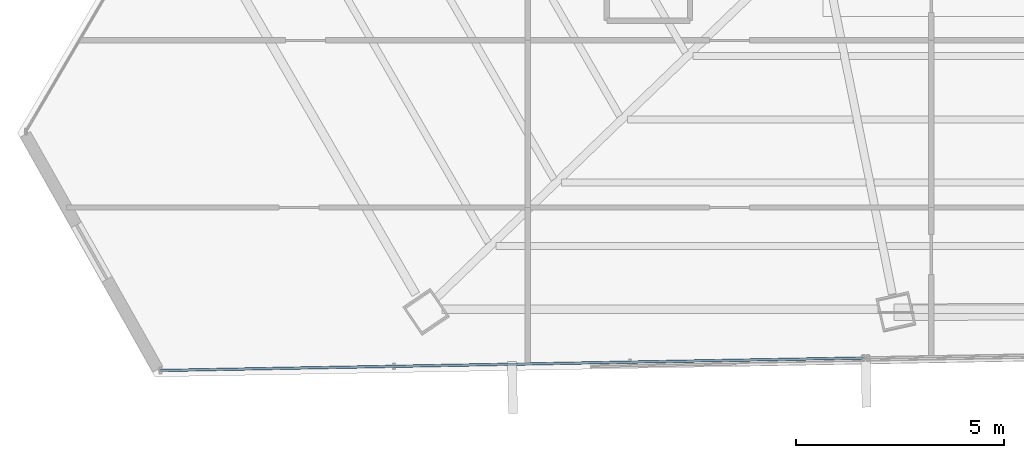
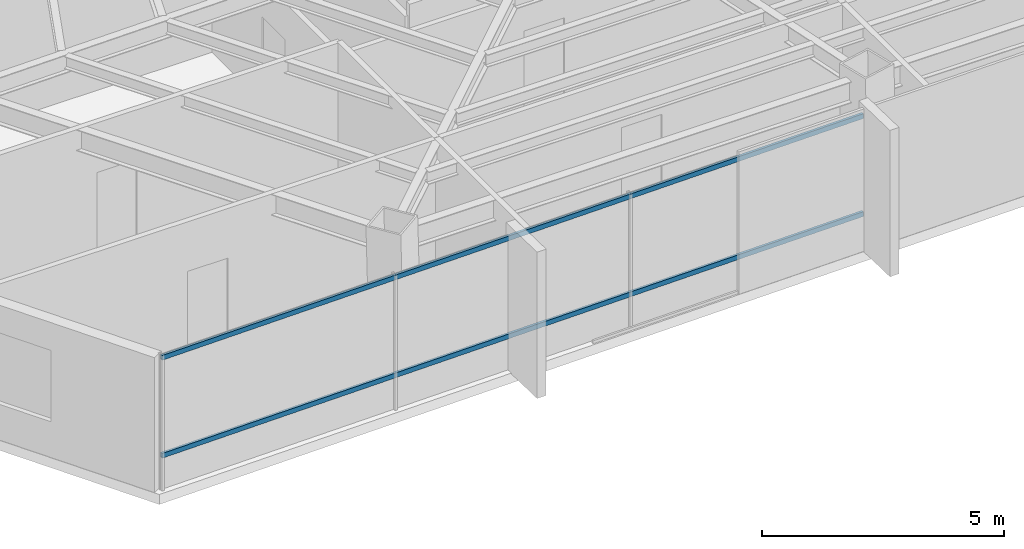
# One storey, part 5 of 44: 2 members, 1 element without a shape of its own.
"""IFC4 building model written with IfcOpenShell, lengths in metres."""

from ifc_helpers import new_model, si_unit, direction, frame, origin, origin_2d, place, context, subcontext, project, spatial, hollow_rectangle, extrude, source, transform, mapped, material, material_profile, profile_set, type_object, type_shapes, element, aggregate, save


model = new_model("IFC4")

# Units and contexts
model_context = context("Model", 3, precision=1e-05, world=origin(), true_north=direction((0.0, 1.0)))
body_context = subcontext(model_context, "Body", "Model", "MODEL_VIEW")
ifc_project = project(units=[si_unit("LENGTHUNIT", "METRE"), si_unit("AREAUNIT", "SQUARE_METRE"), si_unit("VOLUMEUNIT", "CUBIC_METRE"), si_unit("PLANEANGLEUNIT", "RADIAN"), si_unit("MASSUNIT", "GRAM", prefix="KILO")], contexts=[model_context])

# Site, building, storey
site_placement = place(None, origin())
site = spatial("IfcSite", under=ifc_project, at=site_placement, CompositionType="ELEMENT")
building_placement = place(site_placement, origin())
building = spatial("IfcBuilding", under=site, at=building_placement, Name="Caelisora Broadcast Tower", CompositionType="ELEMENT")
storey_placement = place(building_placement, frame((0.0, 0.0, 198.64990234375)))
storey = spatial("IfcBuildingStorey", under=building, at=storey_placement, Name="L52", CompositionType="ELEMENT", Elevation=198.64990234375)

# Curtain wall, members
ifc_material_1 = material(Name="Unitised Aluminium and Low-E Glass Curtain Wall", Category="glass")
curtain_wall_type = type_object("IfcCurtainWallType", Name="CW-Z4", PredefinedType="NOTDEFINED", material=ifc_material_1)
curtain_wall_placement = place(storey_placement, origin())
curtain_wall = element("IfcCurtainWall", 1, at=curtain_wall_placement, inside=storey, type_object=curtain_wall_type, Name="L52 curtain wall CW-Z4", PredefinedType="NOTDEFINED")
ifc_material_2 = material(Name="Aluminium 6063-T6 Anodised Terracotta Bronze", Category="aluminium")
ifc_material_profile = material_profile(ifc_material_2, hollow_rectangle(XDim=0.06005859375, YDim=0.1201171875, WallThickness=0.0029296875, at=origin_2d()), Name="Aluminium 6063-T6 Anodised Terracotta Bronze")
ifc_profile_set = profile_set([ifc_material_profile], Name="Aluminium 6063-T6 Anodised Terracotta Bronze")
member_type = type_object("IfcMemberType", Name="CWT-03", PredefinedType="USERDEFINED", material=ifc_profile_set)
shared_shape = source(origin(), body_context, "Body", "SweptSolid", [
    extrude(hollow_rectangle(XDim=0.06005859375, YDim=0.1201171875, WallThickness=0.0029296875, at=origin_2d()), origin(), (0.0, 0.0, 1.0), 16.90185546875),
])
type_shapes(member_type, [shared_shape])
member_1_placement = place(storey_placement, frame((31.569091796875, 7.091796875, 0.85009765625), z_axis=(-0.999841642875, -0.017795762782, 0.0), x_axis=(0.017795762782, -0.999841642875, 0.0)))
member_1 = element("IfcMember", 2, at=member_1_placement, type_object=member_type, Name="L52-CW-B07 transom #1", ObjectType="TRANSOM", PredefinedType="USERDEFINED", context=body_context, shape_type="MappedRepresentation", body=[
    mapped(shared_shape, transform((0.0, 0.0, 0.0), scale=1.0)),
])
member_2_placement = place(storey_placement, frame((31.569091796875, 7.091796875, 3.320068359375), z_axis=(-0.999841642875, -0.017795762782, 0.0), x_axis=(0.017795762782, -0.999841642875, 0.0)))
member_2 = element("IfcMember", 3, at=member_2_placement, type_object=member_type, Name="L52-CW-B07 transom #2", ObjectType="TRANSOM", PredefinedType="USERDEFINED", context=body_context, shape_type="MappedRepresentation", body=[
    mapped(shared_shape, transform((0.0, 0.0, 0.0), scale=1.0)),
])
aggregate(curtain_wall, [member_1, member_2])

save(model, "model.ifc")
